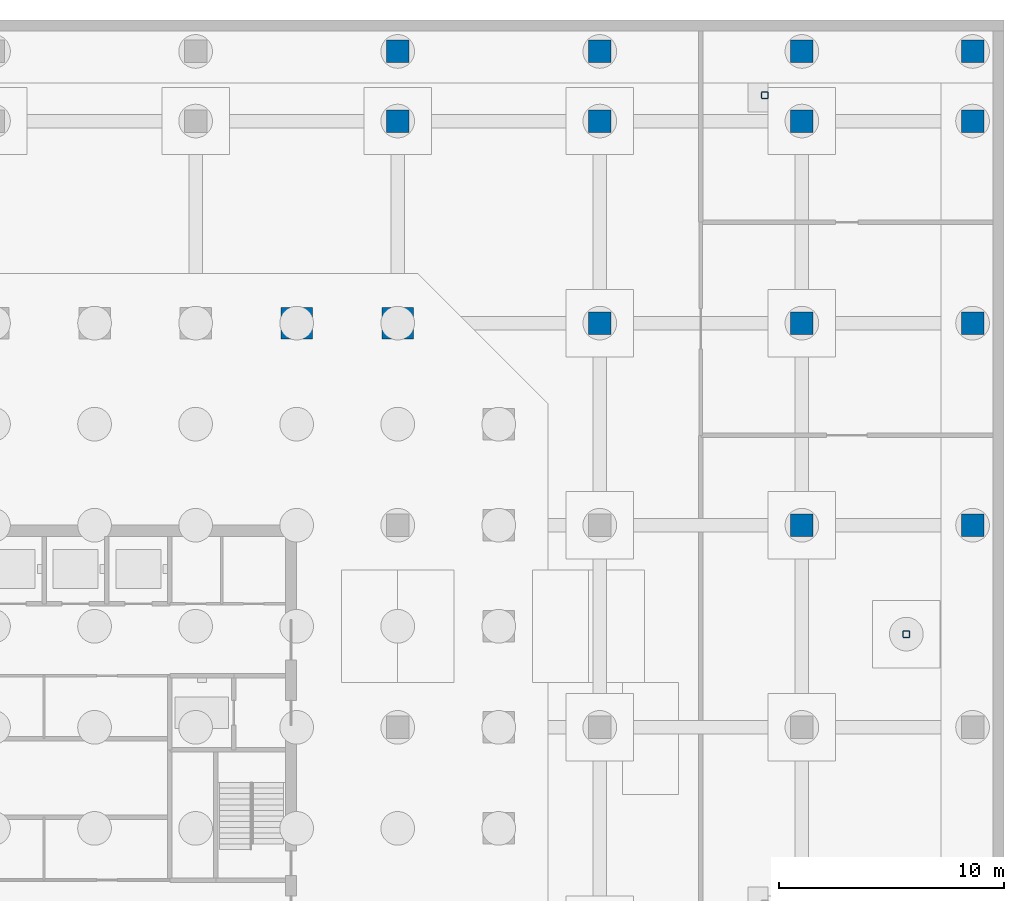
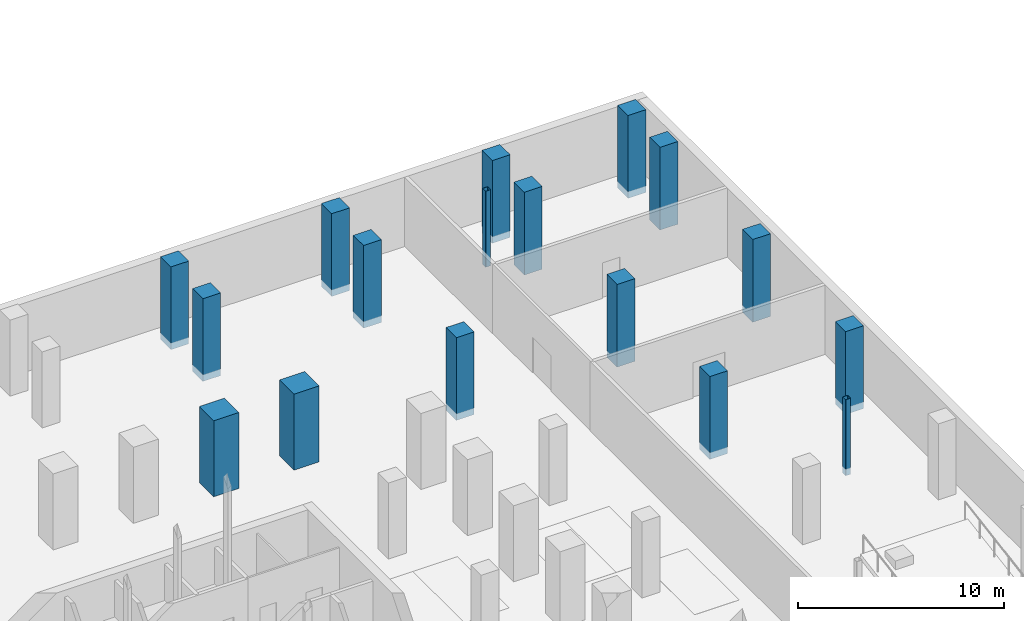
# One storey, part 7 of 37: 17 columns.
"""IFC4 building model written with IfcOpenShell, lengths in metres."""

from ifc_helpers import new_model, si_unit, direction, frame, origin, origin_2d, place, context, subcontext, project, spatial, rectangle, hollow_rectangle, extrude, material, material_profile, profile_set, type_object, element, save


model = new_model("IFC4")

# Units and contexts
model_context = context("Model", 3, precision=1e-05, world=origin(), true_north=direction((0.0, 1.0)))
body_context = subcontext(model_context, "Body", "Model", "MODEL_VIEW")
ifc_project = project(units=[si_unit("LENGTHUNIT", "METRE"), si_unit("AREAUNIT", "SQUARE_METRE"), si_unit("VOLUMEUNIT", "CUBIC_METRE"), si_unit("PLANEANGLEUNIT", "RADIAN"), si_unit("MASSUNIT", "GRAM", prefix="KILO")], contexts=[model_context])

# Site, building, storey
site_placement = place(None, origin())
site = spatial("IfcSite", under=ifc_project, at=site_placement, CompositionType="ELEMENT")
building_placement = place(site_placement, origin())
building = spatial("IfcBuilding", under=site, at=building_placement, Name="Quoin Convention Tower", CompositionType="ELEMENT")
storey_placement = place(building_placement, frame((0.0, 0.0, -9.0)))
storey = spatial("IfcBuildingStorey", under=building, at=storey_placement, Name="B2", CompositionType="ELEMENT", Elevation=-9.0)

# Columns
ifc_material_1 = material(Name="Concrete C100 (100 MPa)", Category="concrete")
ifc_material_profile_1 = material_profile(ifc_material_1, rectangle(XDim=1.0, YDim=1.0, at=origin_2d()), Name="RC 1000x1000")
ifc_profile_set_1 = profile_set([ifc_material_profile_1], Name="Concrete C100 (100 MPa)")
column_type_1 = type_object("IfcColumnType", Name="RC 1000x1000 C100", PredefinedType="COLUMN", material=ifc_profile_set_1)
for number, where, z_axis, x_axis, name in (
    (1, (72.0, 90.0, -0.39990234375), (0.0, 0.0, 1.0), (1.0, 0.0, 0.0), "col-B2-G72000_90000"),
    (2, (81.0, 81.0, -0.39990234375), (0.0, 0.0, 1.0), (1.0, 0.0, 0.0), "col-B2-G81000_81000"),
    (3, (81.0, 90.0, -0.39990234375), (0.0, 0.0, 1.0), (1.0, 0.0, 0.0), "col-B2-G81000_90000"),
    (4, (90.0, 72.0, -0.39990234375), (0.0, 0.0, 1.0), (1.0, 0.0, 0.0), "col-B2-G90000_72000"),
    (5, (90.0, 81.0, -0.39990234375), (0.0, 0.0, 1.0), (1.0, 0.0, 0.0), "col-B2-G90000_81000"),
    (6, (90.0, 90.0, -0.39990234375), (0.0, 0.0, 1.0), (1.0, 0.0, 0.0), "col-B2-G90000_90000"),
    (7, (97.60009765625, 72.0, -0.39990234375), (0.0, 0.0, 1.0), (1.0, 0.0, 0.0), "col-B2-X97600_72000"),
    (8, (97.60009765625, 81.0, -0.39990234375), (0.0, 0.0, 1.0), (1.0, 0.0, 0.0), "col-B2-X97600_81000"),
    (9, (97.60009765625, 90.0, -0.39990234375), (0.0, 0.0, 1.0), (1.0, 0.0, 0.0), "col-B2-X97600_90000"),
    (10, (72.0, 93.10009765625, -0.39990234375), (0.0, 0.0, 1.0), (1.0, 0.0, 0.0), "col-B2-X72000_93100"),
    (11, (81.0, 93.10009765625, -0.39990234375), (0.0, 0.0, 1.0), (1.0, 0.0, 0.0), "col-B2-X81000_93100"),
    (12, (90.0, 93.10009765625, -0.39990234375), (0.0, 0.0, 1.0), (1.0, 0.0, 0.0), "col-B2-X90000_93100"),
    (13, (97.60009765625, 93.10009765625, -0.39990234375), (0.0, 0.0, 1.0), (1.0, 0.0, 0.0), "col-B2-X97600_93100"),
):
    element("IfcColumn", number, at=place(storey_placement, frame(where, z_axis=z_axis, x_axis=x_axis)), inside=storey, type_object=column_type_1, Name=name, PredefinedType="COLUMN", context=body_context, shape_type="SweptSolid", body=[
        extrude(rectangle(XDim=1.0, YDim=1.0, at=origin_2d()), origin(), (0.0, 0.0, 1.0), 4.89990234375),
    ])
ifc_material_profile_2 = material_profile(ifc_material_1, rectangle(XDim=1.39990234375, YDim=1.39990234375, at=origin_2d()), Name="RC 1400x1400")
ifc_profile_set_2 = profile_set([ifc_material_profile_2], Name="Concrete C100 (100 MPa)")
column_type_2 = type_object("IfcColumnType", Name="RC 1400x1400 C100", PredefinedType="COLUMN", material=ifc_profile_set_2)
for number, where, z_axis, x_axis, name in (
    (14, (67.5, 81.0, 0.0), (0.0, 0.0, 1.0), (1.0, 0.0, 0.0), "col-B2-67500_81000"),
    (15, (72.0, 81.0, 0.0), (0.0, 0.0, 1.0), (1.0, 0.0, 0.0), "col-B2-72000_81000"),
):
    element("IfcColumn", number, at=place(storey_placement, frame(where, z_axis=z_axis, x_axis=x_axis)), inside=storey, type_object=column_type_2, Name=name, PredefinedType="COLUMN", context=body_context, shape_type="SweptSolid", body=[
        extrude(rectangle(XDim=1.39990234375, YDim=1.39990234375, at=origin_2d()), origin(), (0.0, 0.0, 1.0), 4.5),
    ])
ifc_material_2 = material(Name="Steel Grade 350", Category="steel")
ifc_material_profile_3 = material_profile(ifc_material_2, hollow_rectangle(XDim=0.300048828125, YDim=0.300048828125, WallThickness=0.012451171875, InnerFilletRadius=0.018798828125, OuterFilletRadius=0.03125, at=origin_2d()), Name="300x300x12.5SHS")
ifc_profile_set_3 = profile_set([ifc_material_profile_3], Name="Steel Grade 350")
column_type_3 = type_object("IfcColumnType", Name="Ramp support post 300x300x12.5SHS", PredefinedType="COLUMN", material=ifc_profile_set_3)
for number, where, z_axis, x_axis, name in (
    (16, (94.64990234375, 67.14990234375, -0.39990234375), (0.0, 0.0, 1.0), (1.0, 0.0, 0.0), "rp1lo-B2"),
    (17, (88.35009765625, 91.14990234375, -0.39990234375), (0.0, 0.0, 1.0), (1.0, 0.0, 0.0), "rp1hi-B2"),
):
    element("IfcColumn", number, at=place(storey_placement, frame(where, z_axis=z_axis, x_axis=x_axis)), inside=storey, type_object=column_type_3, Name=name, PredefinedType="COLUMN", context=body_context, shape_type="SweptSolid", body=[
        extrude(hollow_rectangle(XDim=0.300048828125, YDim=0.300048828125, WallThickness=0.012451171875, InnerFilletRadius=0.018798828125, OuterFilletRadius=0.03125, at=origin_2d()), origin(), (0.0, 0.0, 1.0), 4.5),
    ])

save(model, "model.ifc")
